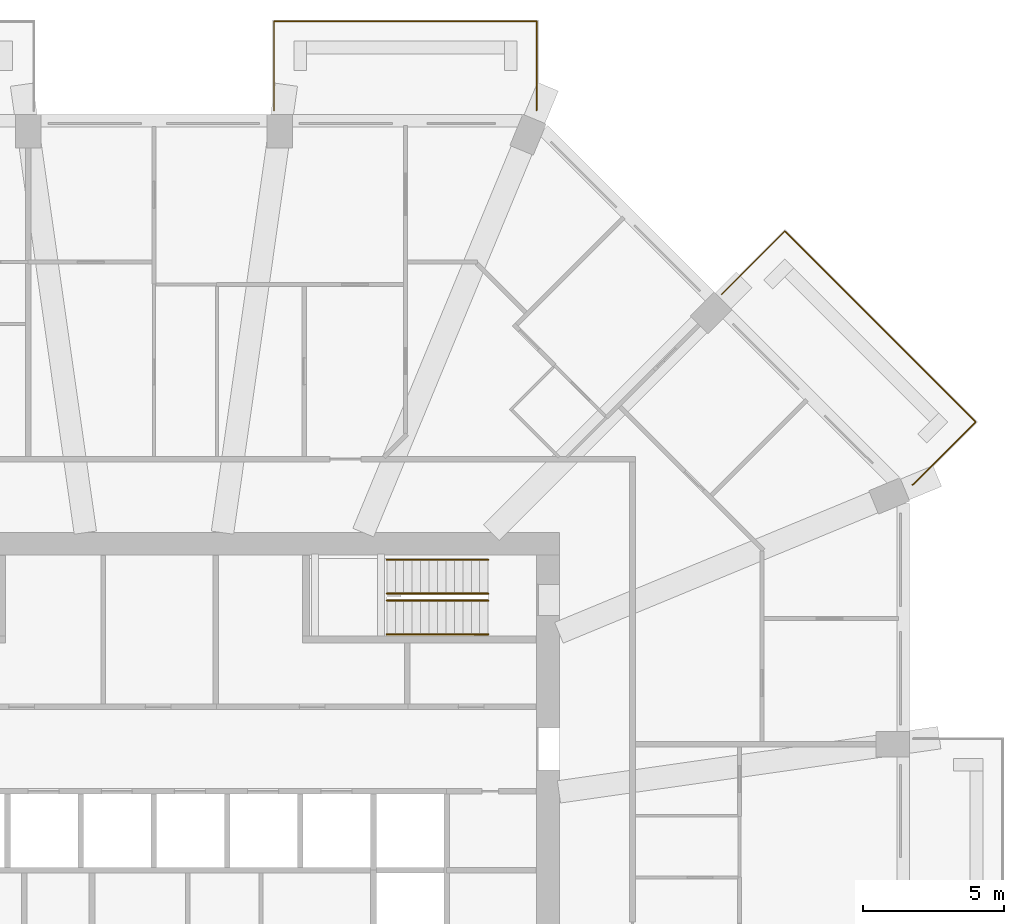
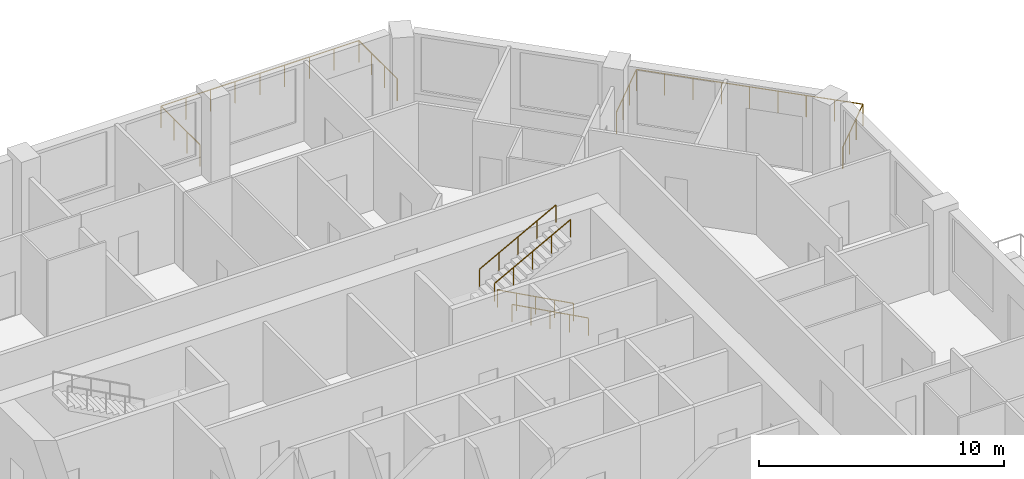
# One storey, part 13 of 13: 6 railings.
"""IFC4 building model written with IfcOpenShell, lengths in metres."""

import ifcopenshell
import ifcopenshell.guid

model = None  # the IFC model being written
_history = None  # IfcOwnerHistory: only IFC2X3 demands one
_inside = {}  # id of a spatial element -> (the spatial element, [elements in it])
_under = {}  # id of a project, library or spatial element -> (it, [spatial elements below it])
_declared = {}  # id of a project -> (the project, [libraries it declares])
_typed = {}  # id of a type object -> (the type object, [elements of that type])
_made_of = {}  # id of a material, layer set ... -> (it, [elements and type objects made of it])


def new_model(schema):
    """Start an empty IFC model of exactly this schema.

    Asked for "IFC4X3", IfcOpenShell would pick the latest addendum, in which some entities
    have other attributes; the version numbers below select the first issue.
    IFC2X3 requires an IfcOwnerHistory on every rooted entity: one is made here for all.
    """
    global model, _history
    if schema == "IFC4X3":
        model = ifcopenshell.file(schema_version=(4, 3, 0, 0))
    else:
        model = ifcopenshell.file(schema=schema)
    _inside.clear()
    _under.clear()
    _declared.clear()
    _typed.clear()
    _made_of.clear()
    _history = None
    if model.schema == "IFC2X3":
        org = make("IfcOrganization", Name="unknown")
        user = make(
            "IfcPersonAndOrganization",
            ThePerson=make("IfcPerson", FamilyName="unknown"),
            TheOrganization=org,
        )
        app = make(
            "IfcApplication",
            ApplicationDeveloper=org,
            Version="unknown",
            ApplicationFullName="unknown",
            ApplicationIdentifier="unknown",
        )
        _history = make(
            "IfcOwnerHistory",
            OwningUser=user,
            OwningApplication=app,
            ChangeAction="ADDED",
            CreationDate=0,
        )
    return model


def make(cls, **values):
    """One entity of the class cls with the attributes given. An attribute that is None is left unset."""
    return model.create_entity(
        cls, **{name: value for name, value in values.items() if value is not None}
    )


def rooted(cls, **values):
    """An entity with a GlobalId (a new one), such as an element, a storey or a relation."""
    return make(cls, GlobalId=ifcopenshell.guid.new(), OwnerHistory=_history, **values)


def si_unit(unit_type, name, prefix=None):
    """IfcSIUnit, for example si_unit("LENGTHUNIT", "METRE", prefix="MILLI")."""
    return make("IfcSIUnit", UnitType=unit_type, Prefix=prefix, Name=name)


def assignment(units):
    """IfcUnitAssignment: the units of a project."""
    return None if units is None else make("IfcUnitAssignment", Units=units)


def point(xyz):
    """IfcCartesianPoint."""
    return None if xyz is None else make("IfcCartesianPoint", Coordinates=xyz)


def direction(xyz):
    """IfcDirection."""
    return None if xyz is None else make("IfcDirection", DirectionRatios=xyz)


def frame(location, z_axis=None, x_axis=None):
    """IfcAxis2Placement3D, a coordinate frame: its origin and axes. An axis left out is left unset."""
    return make(
        "IfcAxis2Placement3D",
        Location=point(location),
        Axis=direction(z_axis),
        RefDirection=direction(x_axis),
    )


def frame_2d(location, x_axis=None):
    """IfcAxis2Placement2D, a coordinate frame in the plane: its origin and x axis."""
    return make(
        "IfcAxis2Placement2D", Location=point(location), RefDirection=direction(x_axis)
    )


def origin():
    """The frame at (0, 0, 0) with its axes left unset."""
    return frame((0.0, 0.0, 0.0))


def origin_2d():
    """The frame at (0, 0) in the plane with its x axis left unset."""
    return frame_2d((0.0, 0.0))


def place(relative_to, where):
    """IfcLocalPlacement: puts the frame where relative to a parent placement (None: the world)."""
    return make(
        "IfcLocalPlacement", PlacementRelTo=relative_to, RelativePlacement=where
    )


def context(
    kind, dimensions, precision=None, world=None, true_north=None, identifier=None
):
    """IfcGeometricRepresentationContext, for example the 3D "Model" context."""
    return make(
        "IfcGeometricRepresentationContext",
        ContextIdentifier=identifier,
        ContextType=kind,
        CoordinateSpaceDimension=dimensions,
        Precision=precision,
        WorldCoordinateSystem=world,
        TrueNorth=true_north,
    )


def subcontext(parent, identifier, kind, view, scale=None):
    """IfcGeometricRepresentationSubContext, for example "Body" below "Model"."""
    return make(
        "IfcGeometricRepresentationSubContext",
        ContextIdentifier=identifier,
        ContextType=kind,
        ParentContext=parent,
        TargetScale=scale,
        TargetView=view,
    )


def project(units=None, contexts=None):
    """IfcProject with its units and contexts."""
    return rooted(
        "IfcProject",
        Name="project",
        RepresentationContexts=contexts,
        UnitsInContext=assignment(units),
    )


def spatial(cls, under=None, at=None, **own):
    """A site, building, storey or space (cls), placed at a placement, below another one or the project."""
    s = rooted(cls, ObjectPlacement=at, **own)
    if under is not None:
        _under.setdefault(under.id(), (under, []))[1].append(s)
    return s


def profile(cls, at=None, kind="AREA", **sizes):
    """A parametric profile (cls). Its sizes go by their IFC names, for example OverallWidth=200.0."""
    return make(cls, ProfileType=kind, Position=at, **sizes)


def circle(**sizes):
    """IfcCircleProfileDef."""
    return profile("IfcCircleProfileDef", **sizes)


def extrude(swept, where, along, depth):
    """IfcExtrudedAreaSolid: the profile swept, set in the frame where, extruded along a direction by depth."""
    return make(
        "IfcExtrudedAreaSolid",
        SweptArea=swept,
        Position=where,
        ExtrudedDirection=direction(along),
        Depth=depth,
    )


def shape(context_of_items, identifier, shape_type, items):
    """IfcShapeRepresentation: the items that make up one representation, for example the "Body"."""
    return make(
        "IfcShapeRepresentation",
        ContextOfItems=context_of_items,
        RepresentationIdentifier=identifier,
        RepresentationType=shape_type,
        Items=items,
    )


def material(Name=None, Category=None):
    """IfcMaterial."""
    return make("IfcMaterial", Name=Name, Category=Category)


def constituent(of_material, Name=None, Category=None, fraction=None):
    """IfcMaterialConstituent: one of the materials an element consists of."""
    return make(
        "IfcMaterialConstituent",
        Name=Name,
        Material=of_material,
        Fraction=fraction,
        Category=Category,
    )


def constituent_set(constituents=None, Name=None):
    """IfcMaterialConstituentSet."""
    return make(
        "IfcMaterialConstituentSet", Name=Name, MaterialConstituents=constituents
    )


def made_of(thing, what):
    """Note that an element or type object is made of a material, layer set ...; save() writes the relation."""
    if what is not None:
        _made_of.setdefault(what.id(), (what, []))[1].append(thing)
    return thing


def type_object(cls, material=None, **own):
    """A type object (cls), such as IfcWallType, which elements share."""
    return made_of(rooted(cls, **own), material)


def element(
    cls,
    number,
    at=None,
    inside=None,
    cuts=None,
    type_object=None,
    material=None,
    context=None,
    identifier="Body",
    shape_type=None,
    held_by="IfcProductDefinitionShape",
    body=None,
    shapes=None,
    **own,
):
    """One element of the class cls, such as IfcWall. Its Tag is "e" and its number.

    at: its placement. inside: the storey or other place that contains it. cuts: it is an
    opening in that element (IfcRelVoidsElement). A single representation is given by context,
    identifier, shape_type and body (its items); several are given by shapes. held_by: the class
    of the entity that holds the representations. save() writes the other relations.
    """
    e = rooted(cls, Tag="e%d" % number, ObjectPlacement=at, **own)
    if body is not None:
        shapes = [shape(context, identifier, shape_type, body)]
    if shapes is not None:
        e.Representation = make(held_by, Representations=shapes)
    if inside is not None:
        _inside.setdefault(inside.id(), (inside, []))[1].append(e)
    if cuts is not None:
        rooted(
            "IfcRelVoidsElement", RelatingBuildingElement=cuts, RelatedOpeningElement=e
        )
    if type_object is not None:
        _typed.setdefault(type_object.id(), (type_object, []))[1].append(e)
    return made_of(e, material)


def aggregate(whole, parts):
    """IfcRelAggregates: a whole, such as a stair, and the parts it consists of."""
    return rooted("IfcRelAggregates", RelatingObject=whole, RelatedObjects=parts)


def save(model, path):
    """Write the relations noted so far, then the file.

    IfcRelAggregates (storeys below a building ...), IfcRelContainedInSpatialStructure (elements
    in a storey), IfcRelDefinesByType, IfcRelAssociatesMaterial and IfcRelDeclares: one each for
    every whole, place, type object, material and project.
    """
    for whole, parts in _under.values():
        aggregate(whole, parts)
    for where, things in _inside.values():
        rooted(
            "IfcRelContainedInSpatialStructure",
            RelatedElements=things,
            RelatingStructure=where,
        )
    for kind, things in _typed.values():
        rooted("IfcRelDefinesByType", RelatedObjects=things, RelatingType=kind)
    for what, things in _made_of.values():
        rooted("IfcRelAssociatesMaterial", RelatedObjects=things, RelatingMaterial=what)
    for by, libraries in _declared.values():
        rooted("IfcRelDeclares", RelatingContext=by, RelatedDefinitions=libraries)
    model.write(path)


model = new_model("IFC4")

# Units and contexts
model_context = context("Model", 3, precision=1e-05, world=origin(), true_north=direction((0.0, 1.0)))
body_context = subcontext(model_context, "Body", "Model", "MODEL_VIEW")
ifc_project = project(units=[si_unit("LENGTHUNIT", "METRE"), si_unit("AREAUNIT", "SQUARE_METRE"), si_unit("VOLUMEUNIT", "CUBIC_METRE"), si_unit("PLANEANGLEUNIT", "RADIAN"), si_unit("MASSUNIT", "GRAM", prefix="KILO")], contexts=[model_context])

# Site, building, storey
site_placement = place(None, origin())
site = spatial("IfcSite", under=ifc_project, at=site_placement, CompositionType="ELEMENT")
building_placement = place(site_placement, origin())
building = spatial("IfcBuilding", under=site, at=building_placement, Name="Msitu Wima Residences", CompositionType="ELEMENT")
storey_placement = place(building_placement, frame((0.0, 0.0, 106.5)))
storey = spatial("IfcBuildingStorey", under=building, at=storey_placement, Name="L24", CompositionType="ELEMENT", Elevation=106.5)

# Railings
ifc_material_1 = material(Name="Steel S355", Category="steel")
ifc_constituent_1 = constituent(ifc_material_1, Name="Steel S355")
ifc_material_2 = material(Name="Weathering patina")
ifc_constituent_2 = constituent(ifc_material_2, Name="Weathering patina")
ifc_constituent_set_1 = constituent_set(constituents=[ifc_constituent_1, ifc_constituent_2], Name="Steel S355")
railing_type_1 = type_object("IfcRailingType", Name="Balcony guard GR1100", PredefinedType="GUARDRAIL", material=ifc_constituent_set_1)
railing_1_placement = place(storey_placement, frame((20.171630859375, 20.45458984375, 0.0)))
element("IfcRailing", 1, at=railing_1_placement, inside=storey, type_object=railing_type_1, Name="Balcony guard NE0 L24", PredefinedType="GUARDRAIL", context=body_context, shape_type="SweptSolid", body=[
    extrude(circle(Radius=0.02392578125, at=origin_2d()), frame((0.0, 0.0, 1.076171875), z_axis=(0.707106781187, 0.707106781187, 0.0), x_axis=(-0.707106781187, 0.707106781187, 0.0)), (0.0, 0.0, 1.0), 3.169921875),
    extrude(circle(Radius=0.02392578125, at=origin_2d()), frame((2.241455078125, 2.241455078125, 1.076171875), z_axis=(0.707106781187, -0.707106781187, 0.0), x_axis=(0.707106781187, 0.707106781187, 0.0)), (0.0, 0.0, 1.0), 9.58837890625),
    extrude(circle(Radius=0.02392578125, at=origin_2d()), frame((9.021484375, -4.53857421875, 1.076171875), z_axis=(-0.707106781187, -0.707106781187, 0.0), x_axis=(0.707106781187, -0.707106781187, 0.0)), (0.0, 0.0, 1.0), 3.136474609375),
    extrude(circle(Radius=0.02392578125, at=origin_2d()), frame((6.8037109375, -6.75634765625, 1.076171875), z_axis=(-0.92426142649, -0.38176015442, 0.0), x_axis=(0.38176015442, -0.92426142649, 0.0)), (0.0, 0.0, 1.0), 0.036376953125),
    extrude(circle(Radius=0.02099609375, at=origin_2d()), origin(), (0.0, 0.0, 1.0), 1.052001953125),
    extrude(circle(Radius=0.02099609375, at=origin_2d()), frame((0.7470703125, 0.7470703125, 0.0)), (0.0, 0.0, 1.0), 1.052001953125),
    extrude(circle(Radius=0.02099609375, at=origin_2d()), frame((1.494384765625, 1.494384765625, 0.0)), (0.0, 0.0, 1.0), 1.052001953125),
    extrude(circle(Radius=0.02099609375, at=origin_2d()), frame((2.241455078125, 2.241455078125, 0.0)), (0.0, 0.0, 1.0), 1.052001953125),
    extrude(circle(Radius=0.02099609375, at=origin_2d()), frame((3.0888671875, 1.39404296875, 0.0)), (0.0, 0.0, 1.0), 1.052001953125),
    extrude(circle(Radius=0.02099609375, at=origin_2d()), frame((3.9365234375, 0.54638671875, 0.0)), (0.0, 0.0, 1.0), 1.052001953125),
    extrude(circle(Radius=0.02099609375, at=origin_2d()), frame((4.783935546875, -0.301025390625, 0.0)), (0.0, 0.0, 1.0), 1.052001953125),
    extrude(circle(Radius=0.02099609375, at=origin_2d()), frame((5.63134765625, -1.1484375, 0.0)), (0.0, 0.0, 1.0), 1.052001953125),
    extrude(circle(Radius=0.02099609375, at=origin_2d()), frame((6.47900390625, -1.99609375, 0.0)), (0.0, 0.0, 1.0), 1.052001953125),
    extrude(circle(Radius=0.02099609375, at=origin_2d()), frame((7.326416015625, -2.843505859375, 0.0)), (0.0, 0.0, 1.0), 1.052001953125),
    extrude(circle(Radius=0.02099609375, at=origin_2d()), frame((8.174072265625, -3.691162109375, 0.0)), (0.0, 0.0, 1.0), 1.052001953125),
    extrude(circle(Radius=0.02099609375, at=origin_2d()), frame((9.021484375, -4.53857421875, 0.0)), (0.0, 0.0, 1.0), 1.052001953125),
    extrude(circle(Radius=0.02099609375, at=origin_2d()), frame((8.2822265625, -5.27783203125, 0.0)), (0.0, 0.0, 1.0), 1.052001953125),
    extrude(circle(Radius=0.02099609375, at=origin_2d()), frame((7.54296875, -6.01708984375, 0.0)), (0.0, 0.0, 1.0), 1.052001953125),
    extrude(circle(Radius=0.02099609375, at=origin_2d()), frame((6.8037109375, -6.75634765625, 0.0)), (0.0, 0.0, 1.0), 1.052001953125),
    extrude(circle(Radius=0.02099609375, at=origin_2d()), frame((6.77001953125, -6.770263671875, 0.0)), (0.0, 0.0, 1.0), 1.052001953125),
])
railing_2_placement = place(storey_placement, frame((4.2685546875, 26.97998046875, 0.0)))
element("IfcRailing", 2, at=railing_2_placement, inside=storey, type_object=railing_type_1, Name="Balcony guard N0 L24", PredefinedType="GUARDRAIL", context=body_context, shape_type="SweptSolid", body=[
    extrude(circle(Radius=0.02392578125, at=origin_2d()), frame((0.0, 0.0, 1.076171875), z_axis=(0.0, 1.0, 0.0), x_axis=(-1.0, 0.0, 0.0)), (0.0, 0.0, 1.0), 3.169921875),
    extrude(circle(Radius=0.02392578125, at=origin_2d()), frame((0.0, 3.169921875, 1.076171875), z_axis=(1.0, 0.0, 0.0), x_axis=(0.0, 1.0, 0.0)), (0.0, 0.0, 1.0), 9.33740234375),
    extrude(circle(Radius=0.02392578125, at=origin_2d()), frame((9.33740234375, 3.169921875, 1.076171875), z_axis=(0.0, -1.0, 0.0), x_axis=(1.0, 0.0, 0.0)), (0.0, 0.0, 1.0), 3.136474609375),
    extrude(circle(Radius=0.02392578125, at=origin_2d()), frame((9.33740234375, 0.033447265625, 1.076171875), z_axis=(-0.384136806859, -0.923276184907, 0.0), x_axis=(0.923276184907, -0.384136806859, 0.0)), (0.0, 0.0, 1.0), 0.0361328125),
    extrude(circle(Radius=0.02099609375, at=origin_2d()), origin(), (0.0, 0.0, 1.0), 1.052001953125),
    extrude(circle(Radius=0.02099609375, at=origin_2d()), frame((0.0, 1.056640625, 0.0)), (0.0, 0.0, 1.0), 1.052001953125),
    extrude(circle(Radius=0.02099609375, at=origin_2d()), frame((0.0, 2.11328125, 0.0)), (0.0, 0.0, 1.0), 1.052001953125),
    extrude(circle(Radius=0.02099609375, at=origin_2d()), frame((0.0, 3.169921875, 0.0)), (0.0, 0.0, 1.0), 1.052001953125),
    extrude(circle(Radius=0.02099609375, at=origin_2d()), frame((1.167236328125, 3.169921875, 0.0)), (0.0, 0.0, 1.0), 1.052001953125),
    extrude(circle(Radius=0.02099609375, at=origin_2d()), frame((2.33447265625, 3.169921875, 0.0)), (0.0, 0.0, 1.0), 1.052001953125),
    extrude(circle(Radius=0.02099609375, at=origin_2d()), frame((3.50146484375, 3.169921875, 0.0)), (0.0, 0.0, 1.0), 1.052001953125),
    extrude(circle(Radius=0.02099609375, at=origin_2d()), frame((4.668701171875, 3.169921875, 0.0)), (0.0, 0.0, 1.0), 1.052001953125),
    extrude(circle(Radius=0.02099609375, at=origin_2d()), frame((5.8359375, 3.169921875, 0.0)), (0.0, 0.0, 1.0), 1.052001953125),
    extrude(circle(Radius=0.02099609375, at=origin_2d()), frame((7.0029296875, 3.169921875, 0.0)), (0.0, 0.0, 1.0), 1.052001953125),
    extrude(circle(Radius=0.02099609375, at=origin_2d()), frame((8.170166015625, 3.169921875, 0.0)), (0.0, 0.0, 1.0), 1.052001953125),
    extrude(circle(Radius=0.02099609375, at=origin_2d()), frame((9.33740234375, 3.169921875, 0.0)), (0.0, 0.0, 1.0), 1.052001953125),
    extrude(circle(Radius=0.02099609375, at=origin_2d()), frame((9.33740234375, 2.12451171875, 0.0)), (0.0, 0.0, 1.0), 1.052001953125),
    extrude(circle(Radius=0.02099609375, at=origin_2d()), frame((9.33740234375, 1.078857421875, 0.0)), (0.0, 0.0, 1.0), 1.052001953125),
    extrude(circle(Radius=0.02099609375, at=origin_2d()), frame((9.33740234375, 0.033447265625, 0.0)), (0.0, 0.0, 1.0), 1.052001953125),
    extrude(circle(Radius=0.02099609375, at=origin_2d()), frame((9.323486328125, 0.0, 0.0)), (0.0, 0.0, 1.0), 1.052001953125),
])
ifc_constituent_3 = constituent(ifc_material_1, Name="Steel S355")
ifc_material_3 = material(Name="Black powder coating")
ifc_constituent_4 = constituent(ifc_material_3, Name="Black powder coating")
ifc_constituent_set_2 = constituent_set(constituents=[ifc_constituent_3, ifc_constituent_4], Name="Steel S355")
railing_type_2 = type_object("IfcRailingType", Name="Stair handrail HR1", PredefinedType="HANDRAIL", material=ifc_constituent_set_2)
for number, where, name in (
    (3, (11.875, 8.375, 0.16162109375), "Stair 3 handrail"),
    (4, (11.875, 9.574951171875, 0.16162109375), "Stair 3 handrail"),
):
    element("IfcRailing", number, at=place(storey_placement, frame(where)), inside=storey, type_object=railing_type_2, Name=name, PredefinedType="HANDRAIL", context=body_context, shape_type="SweptSolid", body=[
        extrude(circle(Radius=0.02392578125, at=origin_2d()), frame((0.0, 0.0, 0.8759765625), z_axis=(-0.880474934443, 0.0, 0.474092701714), x_axis=(0.0, -1.0, 0.0)), (0.0, 0.0, 1.0), 4.0888671875),
        extrude(circle(Radius=0.02099609375, at=origin_2d()), origin(), (0.0, 0.0, 1.0), 0.851806640625),
        extrude(circle(Radius=0.02099609375, at=origin_2d()), frame((-0.89990234375, 0.0, 0.484619140625)), (0.0, 0.0, 1.0), 0.851806640625),
        extrude(circle(Radius=0.02099609375, at=origin_2d()), frame((-1.800048828125, 0.0, 0.96923828125)), (0.0, 0.0, 1.0), 0.851806640625),
        extrude(circle(Radius=0.02099609375, at=origin_2d()), frame((-2.7001953125, 0.0, 1.453857421875)), (0.0, 0.0, 1.0), 0.851806640625),
        extrude(circle(Radius=0.02099609375, at=origin_2d()), frame((-3.60009765625, 0.0, 1.9384765625)), (0.0, 0.0, 1.0), 0.851806640625),
    ])
for number, where, name in (
    (5, (8.27490234375, 9.824951171875, 2.261474609375), "Stair 3 handrail"),
    (6, (8.27490234375, 11.02490234375, 2.261474609375), "Stair 3 handrail"),
):
    element("IfcRailing", number, at=place(storey_placement, frame(where)), inside=storey, type_object=railing_type_2, Name=name, PredefinedType="HANDRAIL", context=body_context, shape_type="SweptSolid", body=[
        extrude(circle(Radius=0.02392578125, at=origin_2d()), frame((0.0, 0.0, 0.8759765625), z_axis=(0.880474934443, 0.0, 0.474092701714), x_axis=(0.0, 1.0, 0.0)), (0.0, 0.0, 1.0), 4.0888671875),
        extrude(circle(Radius=0.02099609375, at=origin_2d()), origin(), (0.0, 0.0, 1.0), 0.851806640625),
        extrude(circle(Radius=0.02099609375, at=origin_2d()), frame((0.89990234375, 0.0, 0.484619140625)), (0.0, 0.0, 1.0), 0.851806640625),
        extrude(circle(Radius=0.02099609375, at=origin_2d()), frame((1.800048828125, 0.0, 0.96923828125)), (0.0, 0.0, 1.0), 0.851806640625),
        extrude(circle(Radius=0.02099609375, at=origin_2d()), frame((2.7001953125, 0.0, 1.453857421875)), (0.0, 0.0, 1.0), 0.851806640625),
        extrude(circle(Radius=0.02099609375, at=origin_2d()), frame((3.60009765625, 0.0, 1.9384765625)), (0.0, 0.0, 1.0), 0.851806640625),
    ])

save(model, "model.ifc")
